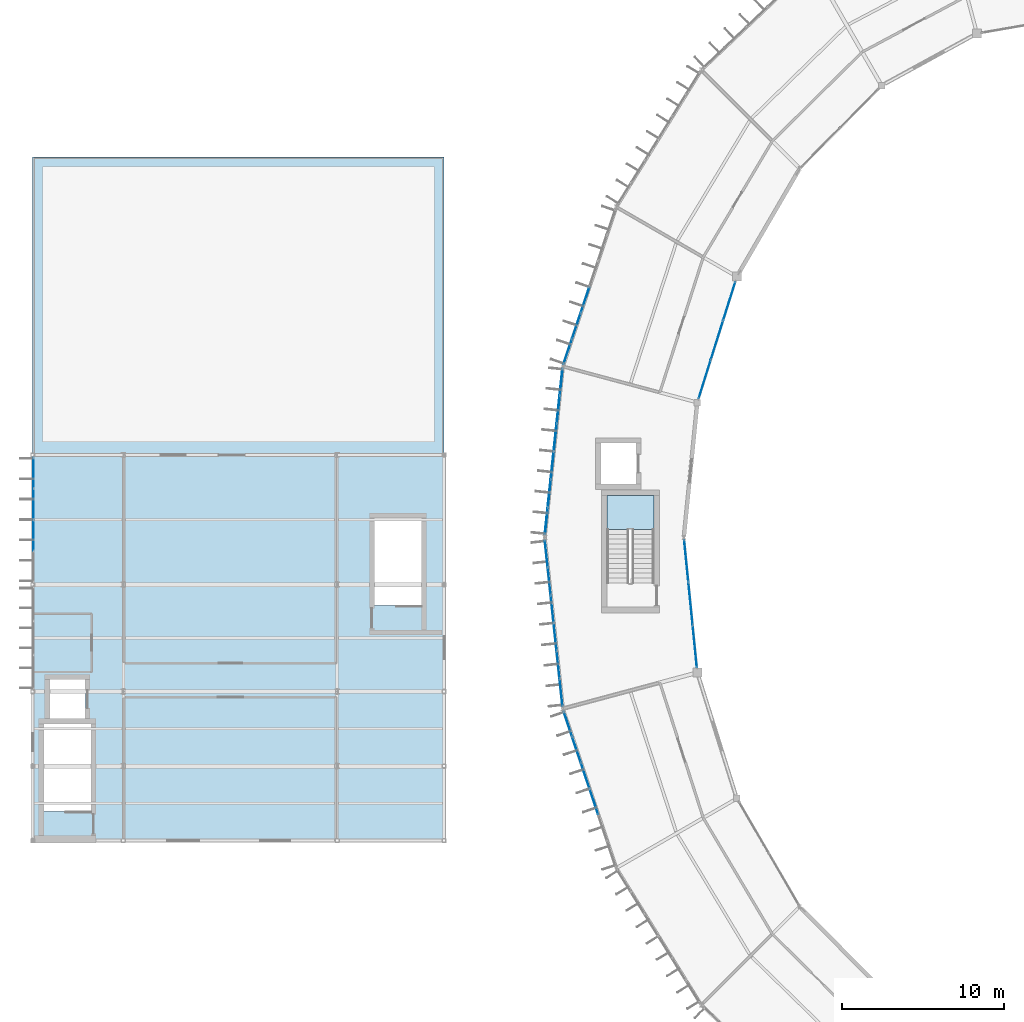
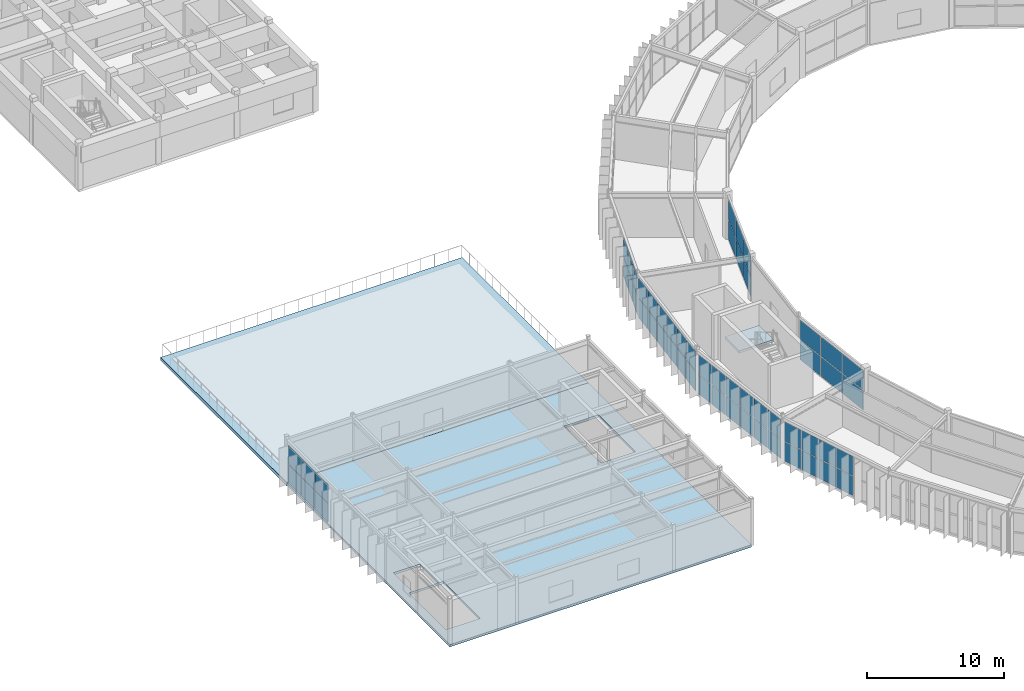
# One storey, part 90 of 130: 56 plates, 3 slabs, 8 elements without a shape of their own.
"""IFC4 building model written with IfcOpenShell, lengths in metres."""

from ifc_helpers import new_model, si_unit, direction, frame, origin, origin_2d, place, context, subcontext, project, spatial, polyline, rectangle, outline, extrude, material, layer, layer_set, type_object, element, aggregate, save


model = new_model("IFC4")

# Units and contexts
model_context = context("Model", 3, precision=1e-05, world=origin(), true_north=direction((0.0, 1.0)))
body_context = subcontext(model_context, "Body", "Model", "MODEL_VIEW")
ifc_project = project(units=[si_unit("LENGTHUNIT", "METRE"), si_unit("AREAUNIT", "SQUARE_METRE"), si_unit("VOLUMEUNIT", "CUBIC_METRE"), si_unit("PLANEANGLEUNIT", "RADIAN"), si_unit("MASSUNIT", "GRAM", prefix="KILO")], contexts=[model_context])

# Site, building, storey
site_placement = place(None, origin())
site = spatial("IfcSite", under=ifc_project, at=site_placement, CompositionType="ELEMENT")
building_placement = place(site_placement, origin())
building = spatial("IfcBuilding", under=site, at=building_placement, Name="Karori Crest Natural Sciences Institute", CompositionType="ELEMENT")
storey_placement = place(building_placement, frame((0.0, 0.0, 17.5)))
storey = spatial("IfcBuildingStorey", under=building, at=storey_placement, Name="L04", CompositionType="ELEMENT", Elevation=17.5)

# Curtain wall, plates
ifc_material_1 = material(Name="Anodised architectural aluminium 6063-T6", Category="aluminium")
curtain_wall_type_1 = type_object("IfcCurtainWallType", Name="CWT-11", PredefinedType="NOTDEFINED", material=ifc_material_1)
curtain_wall_1_placement = place(storey_placement, origin())
curtain_wall_1 = element("IfcCurtainWall", 1, at=curtain_wall_1_placement, inside=storey, type_object=curtain_wall_type_1, Name="Curtain wall CW-0152", PredefinedType="NOTDEFINED")
ifc_material_2 = material(Name="Double low-E laminated glass", Category="glass")
ifc_layer_1 = layer(ifc_material_2, 0.02392578125, Name="Double low-E laminated glass")
ifc_layer_set_1 = layer_set([ifc_layer_1], Name="Double low-E laminated glass")
plate_type_1 = type_object("IfcPlateType", Name="CWP-01", PredefinedType="CURTAIN_PANEL", material=ifc_layer_set_1)
plate_1_placement = place(storey_placement, frame((44.796875, 64.49560546875, 0.06005859375), z_axis=(0.0, 0.0, 1.0), x_axis=(-0.299475254154, -0.954104067778, 0.0)))
plate_1 = element("IfcPlate", 2, at=plate_1_placement, type_object=plate_type_1, Name="CW-0152 panel 1.1", PredefinedType="CURTAIN_PANEL", context=body_context, shape_type="SweptSolid", body=[
    extrude(rectangle(XDim=2.451171875, YDim=0.02392578125, at=origin_2d()), origin(), (0.0, 0.0, 1.0), 1.735107421875),
])
plate_2_placement = place(storey_placement, frame((44.796875, 64.49560546875, 1.85498046875), z_axis=(0.0, 0.0, 1.0), x_axis=(-0.299475254154, -0.954104067778, 0.0)))
plate_2 = element("IfcPlate", 3, at=plate_2_placement, type_object=plate_type_1, Name="CW-0152 panel 1.2", PredefinedType="CURTAIN_PANEL", context=body_context, shape_type="SweptSolid", body=[
    extrude(rectangle(XDim=2.451171875, YDim=0.02392578125, at=origin_2d()), origin(), (0.0, 0.0, 1.0), 1.735107421875),
])
plate_3_placement = place(storey_placement, frame((44.038330078125, 62.07958984375, 0.06005859375), z_axis=(0.0, 0.0, 1.0), x_axis=(-0.299475254154, -0.954104067778, 0.0)))
plate_3 = element("IfcPlate", 4, at=plate_3_placement, type_object=plate_type_1, Name="CW-0152 panel 2.1", PredefinedType="CURTAIN_PANEL", context=body_context, shape_type="SweptSolid", body=[
    extrude(rectangle(XDim=2.483642578125, YDim=0.02392578125, at=origin_2d()), origin(), (0.0, 0.0, 1.0), 1.735107421875),
])
plate_4_placement = place(storey_placement, frame((44.038330078125, 62.07958984375, 1.85498046875), z_axis=(0.0, 0.0, 1.0), x_axis=(-0.299475254154, -0.954104067778, 0.0)))
plate_4 = element("IfcPlate", 5, at=plate_4_placement, type_object=plate_type_1, Name="CW-0152 panel 2.2", PredefinedType="CURTAIN_PANEL", context=body_context, shape_type="SweptSolid", body=[
    extrude(rectangle(XDim=2.483642578125, YDim=0.02392578125, at=origin_2d()), origin(), (0.0, 0.0, 1.0), 1.735107421875),
])
plate_5_placement = place(storey_placement, frame((43.280029296875, 59.663330078125, 0.06005859375), z_axis=(0.0, 0.0, 1.0), x_axis=(-0.299475254154, -0.954104067778, 0.0)))
plate_5 = element("IfcPlate", 6, at=plate_5_placement, type_object=plate_type_1, Name="CW-0152 panel 3.1", PredefinedType="CURTAIN_PANEL", context=body_context, shape_type="SweptSolid", body=[
    extrude(rectangle(XDim=2.451171875, YDim=0.02392578125, at=origin_2d()), origin(), (0.0, 0.0, 1.0), 1.735107421875),
])
plate_6_placement = place(storey_placement, frame((43.280029296875, 59.663330078125, 1.85498046875), z_axis=(0.0, 0.0, 1.0), x_axis=(-0.299475254154, -0.954104067778, 0.0)))
plate_6 = element("IfcPlate", 7, at=plate_6_placement, type_object=plate_type_1, Name="CW-0152 panel 3.2", PredefinedType="CURTAIN_PANEL", context=body_context, shape_type="SweptSolid", body=[
    extrude(rectangle(XDim=2.451171875, YDim=0.02392578125, at=origin_2d()), origin(), (0.0, 0.0, 1.0), 1.735107421875),
])
aggregate(curtain_wall_1, [plate_1, plate_2, plate_3, plate_4, plate_5, plate_6])

curtain_wall_type_2 = type_object("IfcCurtainWallType", Name="CWT-03", PredefinedType="NOTDEFINED", material=ifc_material_1)
curtain_wall_2_placement = place(storey_placement, origin())
curtain_wall_2 = element("IfcCurtainWall", 8, at=curtain_wall_2_placement, inside=storey, type_object=curtain_wall_type_2, Name="Curtain wall CW-0154", PredefinedType="NOTDEFINED")
plate_7_placement = place(storey_placement, frame((34.41796875, 40.34033203125, 0.06494140625), z_axis=(0.0, 0.0, 1.0), x_axis=(-0.105884496939, 0.994378435661, 0.0)))
plate_7 = element("IfcPlate", 9, at=plate_7_placement, type_object=plate_type_1, Name="CW-0154 panel 1.1", PredefinedType="CURTAIN_PANEL", context=body_context, shape_type="SweptSolid", body=[
    extrude(rectangle(XDim=1.630126953125, YDim=0.02392578125, at=origin_2d()), origin(), (0.0, 0.0, 1.0), 1.715087890625),
])
plate_8_placement = place(storey_placement, frame((34.41796875, 40.34033203125, 1.8447265625), z_axis=(0.0, 0.0, 1.0), x_axis=(-0.105884496939, 0.994378435661, 0.0)))
plate_8 = element("IfcPlate", 10, at=plate_8_placement, type_object=plate_type_1, Name="CW-0154 panel 1.2", PredefinedType="CURTAIN_PANEL", context=body_context, shape_type="SweptSolid", body=[
    extrude(rectangle(XDim=1.630126953125, YDim=0.02392578125, at=origin_2d()), origin(), (0.0, 0.0, 1.0), 1.715087890625),
])
plate_9_placement = place(storey_placement, frame((34.23681640625, 42.0419921875, 0.06494140625), z_axis=(0.0, 0.0, 1.0), x_axis=(-0.105884496939, 0.994378435661, 0.0)))
plate_9 = element("IfcPlate", 11, at=plate_9_placement, type_object=plate_type_1, Name="CW-0154 panel 2.1", PredefinedType="CURTAIN_PANEL", context=body_context, shape_type="SweptSolid", body=[
    extrude(rectangle(XDim=1.66259765625, YDim=0.02392578125, at=origin_2d()), origin(), (0.0, 0.0, 1.0), 1.715087890625),
])
plate_10_placement = place(storey_placement, frame((34.23681640625, 42.0419921875, 1.8447265625), z_axis=(0.0, 0.0, 1.0), x_axis=(-0.105884496939, 0.994378435661, 0.0)))
plate_10 = element("IfcPlate", 12, at=plate_10_placement, type_object=plate_type_1, Name="CW-0154 panel 2.2", PredefinedType="CURTAIN_PANEL", context=body_context, shape_type="SweptSolid", body=[
    extrude(rectangle(XDim=1.66259765625, YDim=0.02392578125, at=origin_2d()), origin(), (0.0, 0.0, 1.0), 1.715087890625),
])
plate_11_placement = place(storey_placement, frame((34.0537109375, 43.759765625, 0.06494140625), z_axis=(0.0, 0.0, 1.0), x_axis=(-0.105884496939, 0.994378435661, 0.0)))
plate_11 = element("IfcPlate", 13, at=plate_11_placement, type_object=plate_type_1, Name="CW-0154 panel 3.1", PredefinedType="CURTAIN_PANEL", context=body_context, shape_type="SweptSolid", body=[
    extrude(rectangle(XDim=1.66259765625, YDim=0.02392578125, at=origin_2d()), origin(), (0.0, 0.0, 1.0), 1.715087890625),
])
plate_12_placement = place(storey_placement, frame((34.0537109375, 43.759765625, 1.8447265625), z_axis=(0.0, 0.0, 1.0), x_axis=(-0.105884496939, 0.994378435661, 0.0)))
plate_12 = element("IfcPlate", 14, at=plate_12_placement, type_object=plate_type_1, Name="CW-0154 panel 3.2", PredefinedType="CURTAIN_PANEL", context=body_context, shape_type="SweptSolid", body=[
    extrude(rectangle(XDim=1.66259765625, YDim=0.02392578125, at=origin_2d()), origin(), (0.0, 0.0, 1.0), 1.715087890625),
])
plate_13_placement = place(storey_placement, frame((33.870849609375, 45.4775390625, 0.06494140625), z_axis=(0.0, 0.0, 1.0), x_axis=(-0.105884496939, 0.994378435661, 0.0)))
plate_13 = element("IfcPlate", 15, at=plate_13_placement, type_object=plate_type_1, Name="CW-0154 panel 4.1", PredefinedType="CURTAIN_PANEL", context=body_context, shape_type="SweptSolid", body=[
    extrude(rectangle(XDim=1.66259765625, YDim=0.02392578125, at=origin_2d()), origin(), (0.0, 0.0, 1.0), 1.715087890625),
])
plate_14_placement = place(storey_placement, frame((33.870849609375, 45.4775390625, 1.8447265625), z_axis=(0.0, 0.0, 1.0), x_axis=(-0.105884496939, 0.994378435661, 0.0)))
plate_14 = element("IfcPlate", 16, at=plate_14_placement, type_object=plate_type_1, Name="CW-0154 panel 4.2", PredefinedType="CURTAIN_PANEL", context=body_context, shape_type="SweptSolid", body=[
    extrude(rectangle(XDim=1.66259765625, YDim=0.02392578125, at=origin_2d()), origin(), (0.0, 0.0, 1.0), 1.715087890625),
])
plate_15_placement = place(storey_placement, frame((33.68798828125, 47.1953125, 0.06494140625), z_axis=(0.0, 0.0, 1.0), x_axis=(-0.105884496939, 0.994378435661, 0.0)))
plate_15 = element("IfcPlate", 17, at=plate_15_placement, type_object=plate_type_1, Name="CW-0154 panel 5.1", PredefinedType="CURTAIN_PANEL", context=body_context, shape_type="SweptSolid", body=[
    extrude(rectangle(XDim=1.66259765625, YDim=0.02392578125, at=origin_2d()), origin(), (0.0, 0.0, 1.0), 1.715087890625),
])
plate_16_placement = place(storey_placement, frame((33.68798828125, 47.1953125, 1.8447265625), z_axis=(0.0, 0.0, 1.0), x_axis=(-0.105884496939, 0.994378435661, 0.0)))
plate_16 = element("IfcPlate", 18, at=plate_16_placement, type_object=plate_type_1, Name="CW-0154 panel 5.2", PredefinedType="CURTAIN_PANEL", context=body_context, shape_type="SweptSolid", body=[
    extrude(rectangle(XDim=1.66259765625, YDim=0.02392578125, at=origin_2d()), origin(), (0.0, 0.0, 1.0), 1.715087890625),
])
plate_17_placement = place(storey_placement, frame((33.5068359375, 48.89697265625, 0.06494140625), z_axis=(0.0, 0.0, 1.0), x_axis=(-0.105884496939, 0.994378435661, 0.0)))
plate_17 = element("IfcPlate", 19, at=plate_17_placement, type_object=plate_type_1, Name="CW-0154 panel 6.1", PredefinedType="CURTAIN_PANEL", context=body_context, shape_type="SweptSolid", body=[
    extrude(rectangle(XDim=1.630126953125, YDim=0.02392578125, at=origin_2d()), origin(), (0.0, 0.0, 1.0), 1.715087890625),
])
plate_18_placement = place(storey_placement, frame((33.5068359375, 48.89697265625, 1.8447265625), z_axis=(0.0, 0.0, 1.0), x_axis=(-0.105884496939, 0.994378435661, 0.0)))
plate_18 = element("IfcPlate", 20, at=plate_18_placement, type_object=plate_type_1, Name="CW-0154 panel 6.2", PredefinedType="CURTAIN_PANEL", context=body_context, shape_type="SweptSolid", body=[
    extrude(rectangle(XDim=1.630126953125, YDim=0.02392578125, at=origin_2d()), origin(), (0.0, 0.0, 1.0), 1.715087890625),
])
aggregate(curtain_wall_2, [plate_7, plate_8, plate_9, plate_10, plate_11, plate_12, plate_13, plate_14, plate_15, plate_16, plate_17, plate_18])

curtain_wall_type_3 = type_object("IfcCurtainWallType", Name="CWT-13", PredefinedType="NOTDEFINED", material=ifc_material_1)
curtain_wall_3_placement = place(storey_placement, origin())
curtain_wall_3 = element("IfcCurtainWall", 21, at=curtain_wall_3_placement, inside=storey, type_object=curtain_wall_type_3, Name="Curtain wall CW-0155", PredefinedType="NOTDEFINED")
plate_19_placement = place(storey_placement, frame((42.144287109375, 48.45458984375, 0.06005859375), z_axis=(0.0, 0.0, 1.0), x_axis=(0.099268494275, -0.995060684604, 0.0)))
plate_19 = element("IfcPlate", 22, at=plate_19_placement, type_object=plate_type_1, Name="CW-0155 panel 1.1", PredefinedType="CURTAIN_PANEL", context=body_context, shape_type="SweptSolid", body=[
    extrude(rectangle(XDim=2.568359375, YDim=0.02392578125, at=origin_2d()), origin(), (0.0, 0.0, 1.0), 1.735107421875),
])
plate_20_placement = place(storey_placement, frame((42.144287109375, 48.45458984375, 1.85498046875), z_axis=(0.0, 0.0, 1.0), x_axis=(0.099268494275, -0.995060684604, 0.0)))
plate_20 = element("IfcPlate", 23, at=plate_20_placement, type_object=plate_type_1, Name="CW-0155 panel 1.2", PredefinedType="CURTAIN_PANEL", context=body_context, shape_type="SweptSolid", body=[
    extrude(rectangle(XDim=2.568359375, YDim=0.02392578125, at=origin_2d()), origin(), (0.0, 0.0, 1.0), 1.735107421875),
])
plate_21_placement = place(storey_placement, frame((42.4072265625, 45.818115234375, 0.06005859375), z_axis=(0.0, 0.0, 1.0), x_axis=(0.099268494275, -0.995060684604, 0.0)))
plate_21 = element("IfcPlate", 24, at=plate_21_placement, type_object=plate_type_1, Name="CW-0155 panel 2.1", PredefinedType="CURTAIN_PANEL", context=body_context, shape_type="SweptSolid", body=[
    extrude(rectangle(XDim=2.600830078125, YDim=0.02392578125, at=origin_2d()), origin(), (0.0, 0.0, 1.0), 1.735107421875),
])
plate_22_placement = place(storey_placement, frame((42.4072265625, 45.818115234375, 1.85498046875), z_axis=(0.0, 0.0, 1.0), x_axis=(0.099268494275, -0.995060684604, 0.0)))
plate_22 = element("IfcPlate", 25, at=plate_22_placement, type_object=plate_type_1, Name="CW-0155 panel 2.2", PredefinedType="CURTAIN_PANEL", context=body_context, shape_type="SweptSolid", body=[
    extrude(rectangle(XDim=2.600830078125, YDim=0.02392578125, at=origin_2d()), origin(), (0.0, 0.0, 1.0), 1.735107421875),
])
plate_23_placement = place(storey_placement, frame((42.670166015625, 43.181396484375, 0.06005859375), z_axis=(0.0, 0.0, 1.0), x_axis=(0.099268494275, -0.995060684604, 0.0)))
plate_23 = element("IfcPlate", 26, at=plate_23_placement, type_object=plate_type_1, Name="CW-0155 panel 3.1", PredefinedType="CURTAIN_PANEL", context=body_context, shape_type="SweptSolid", body=[
    extrude(rectangle(XDim=2.568359375, YDim=0.02392578125, at=origin_2d()), origin(), (0.0, 0.0, 1.0), 1.735107421875),
])
plate_24_placement = place(storey_placement, frame((42.670166015625, 43.181396484375, 1.85498046875), z_axis=(0.0, 0.0, 1.0), x_axis=(0.099268494275, -0.995060684604, 0.0)))
plate_24 = element("IfcPlate", 27, at=plate_24_placement, type_object=plate_type_1, Name="CW-0155 panel 3.2", PredefinedType="CURTAIN_PANEL", context=body_context, shape_type="SweptSolid", body=[
    extrude(rectangle(XDim=2.568359375, YDim=0.02392578125, at=origin_2d()), origin(), (0.0, 0.0, 1.0), 1.735107421875),
])
aggregate(curtain_wall_3, [plate_19, plate_20, plate_21, plate_22, plate_23, plate_24])

curtain_wall_type_4 = type_object("IfcCurtainWallType", Name="CWT-17", PredefinedType="NOTDEFINED", material=ifc_material_1)
curtain_wall_4_placement = place(storey_placement, origin())
curtain_wall_4 = element("IfcCurtainWall", 28, at=curtain_wall_4_placement, inside=storey, type_object=curtain_wall_type_4, Name="Curtain wall CW-0287", PredefinedType="NOTDEFINED")
plate_25_placement = place(storey_placement, frame((1.860107421875, 50.03076171875, 0.06005859375), z_axis=(0.0, 0.0, 1.0), x_axis=(0.0, 1.0, 0.0)))
plate_25 = element("IfcPlate", 29, at=plate_25_placement, type_object=plate_type_1, Name="CW-0287 panel 2.1", PredefinedType="CURTAIN_PANEL", context=body_context, shape_type="SweptSolid", body=[
    extrude(rectangle(XDim=1.87353515625, YDim=0.02392578125, at=origin_2d()), origin(), (0.0, 0.0, 1.0), 1.632568359375),
])
plate_26_placement = place(storey_placement, frame((1.860107421875, 50.03076171875, 1.75244140625), z_axis=(0.0, 0.0, 1.0), x_axis=(0.0, 1.0, 0.0)))
plate_26 = element("IfcPlate", 30, at=plate_26_placement, type_object=plate_type_1, Name="CW-0287 panel 2.2", PredefinedType="CURTAIN_PANEL", context=body_context, shape_type="SweptSolid", body=[
    extrude(rectangle(XDim=1.87353515625, YDim=0.02392578125, at=origin_2d()), origin(), (0.0, 0.0, 1.0), 1.632568359375),
])
plate_27_placement = place(storey_placement, frame((1.860107421875, 51.96923828125, 0.06005859375), z_axis=(0.0, 0.0, 1.0), x_axis=(0.0, 1.0, 0.0)))
plate_27 = element("IfcPlate", 31, at=plate_27_placement, type_object=plate_type_1, Name="CW-0287 panel 3.1", PredefinedType="CURTAIN_PANEL", context=body_context, shape_type="SweptSolid", body=[
    extrude(rectangle(XDim=1.87353515625, YDim=0.02392578125, at=origin_2d()), origin(), (0.0, 0.0, 1.0), 1.632568359375),
])
plate_28_placement = place(storey_placement, frame((1.860107421875, 51.96923828125, 1.75244140625), z_axis=(0.0, 0.0, 1.0), x_axis=(0.0, 1.0, 0.0)))
plate_28 = element("IfcPlate", 32, at=plate_28_placement, type_object=plate_type_1, Name="CW-0287 panel 3.2", PredefinedType="CURTAIN_PANEL", context=body_context, shape_type="SweptSolid", body=[
    extrude(rectangle(XDim=1.87353515625, YDim=0.02392578125, at=origin_2d()), origin(), (0.0, 0.0, 1.0), 1.632568359375),
])
plate_29_placement = place(storey_placement, frame((1.860107421875, 53.8916015625, 0.06005859375), z_axis=(0.0, 0.0, 1.0), x_axis=(0.0, 1.0, 0.0)))
plate_29 = element("IfcPlate", 33, at=plate_29_placement, type_object=plate_type_1, Name="CW-0287 panel 4.1", PredefinedType="CURTAIN_PANEL", context=body_context, shape_type="SweptSolid", body=[
    extrude(rectangle(XDim=1.841064453125, YDim=0.02392578125, at=origin_2d()), origin(), (0.0, 0.0, 1.0), 1.632568359375),
])
plate_30_placement = place(storey_placement, frame((1.860107421875, 53.8916015625, 1.75244140625), z_axis=(0.0, 0.0, 1.0), x_axis=(0.0, 1.0, 0.0)))
plate_30 = element("IfcPlate", 34, at=plate_30_placement, type_object=plate_type_1, Name="CW-0287 panel 4.2", PredefinedType="CURTAIN_PANEL", context=body_context, shape_type="SweptSolid", body=[
    extrude(rectangle(XDim=1.841064453125, YDim=0.02392578125, at=origin_2d()), origin(), (0.0, 0.0, 1.0), 1.632568359375),
])
aggregate(curtain_wall_4, [plate_25, plate_26, plate_27, plate_28, plate_29, plate_30])

curtain_wall_type_5 = type_object("IfcCurtainWallType", Name="CWT-01", PredefinedType="NOTDEFINED", material=ifc_material_1)
curtain_wall_5_placement = place(storey_placement, origin())
curtain_wall_5 = element("IfcCurtainWall", 35, at=curtain_wall_5_placement, inside=storey, type_object=curtain_wall_type_5, Name="Curtain wall CW-0151", PredefinedType="NOTDEFINED")
ifc_layer_2 = layer(ifc_material_2, 0.033935546875, Name="Double low-E laminated glass")
ifc_layer_set_2 = layer_set([ifc_layer_2], Name="Double low-E laminated glass")
plate_type_2 = type_object("IfcPlateType", Name="CWP-02", PredefinedType="CURTAIN_PANEL", material=ifc_layer_set_2)
plate_31_placement = place(storey_placement, frame((34.8251953125, 61.357421875, 0.06494140625), z_axis=(0.0, 0.0, 1.0), x_axis=(0.317679803392, 0.94819805026, 0.0)))
plate_31 = element("IfcPlate", 36, at=plate_31_placement, type_object=plate_type_2, Name="CW-0151 panel 1.1", PredefinedType="CURTAIN_PANEL", context=body_context, shape_type="SweptSolid", body=[
    extrude(rectangle(XDim=1.59619140625, YDim=0.033935546875, at=origin_2d()), origin(), (0.0, 0.0, 1.0), 1.715087890625),
])
plate_32_placement = place(storey_placement, frame((34.8251953125, 61.357421875, 1.8447265625), z_axis=(0.0, 0.0, 1.0), x_axis=(0.317679803392, 0.94819805026, 0.0)))
plate_32 = element("IfcPlate", 37, at=plate_32_placement, type_object=plate_type_2, Name="CW-0151 panel 1.2", PredefinedType="CURTAIN_PANEL", context=body_context, shape_type="SweptSolid", body=[
    extrude(rectangle(XDim=1.59619140625, YDim=0.033935546875, at=origin_2d()), origin(), (0.0, 0.0, 1.0), 1.715087890625),
])
plate_33_placement = place(storey_placement, frame((35.35791015625, 62.947998046875, 0.06494140625), z_axis=(0.0, 0.0, 1.0), x_axis=(0.317679803392, 0.94819805026, 0.0)))
plate_33 = element("IfcPlate", 38, at=plate_33_placement, type_object=plate_type_2, Name="CW-0151 panel 2.1", PredefinedType="CURTAIN_PANEL", context=body_context, shape_type="SweptSolid", body=[
    extrude(rectangle(XDim=1.628662109375, YDim=0.033935546875, at=origin_2d()), origin(), (0.0, 0.0, 1.0), 1.715087890625),
])
plate_34_placement = place(storey_placement, frame((35.35791015625, 62.947998046875, 1.8447265625), z_axis=(0.0, 0.0, 1.0), x_axis=(0.317679803392, 0.94819805026, 0.0)))
plate_34 = element("IfcPlate", 39, at=plate_34_placement, type_object=plate_type_2, Name="CW-0151 panel 2.2", PredefinedType="CURTAIN_PANEL", context=body_context, shape_type="SweptSolid", body=[
    extrude(rectangle(XDim=1.628662109375, YDim=0.033935546875, at=origin_2d()), origin(), (0.0, 0.0, 1.0), 1.715087890625),
])
plate_35_placement = place(storey_placement, frame((35.89599609375, 64.553955078125, 0.06494140625), z_axis=(0.0, 0.0, 1.0), x_axis=(0.317679803392, 0.94819805026, 0.0)))
plate_35 = element("IfcPlate", 40, at=plate_35_placement, type_object=plate_type_2, Name="CW-0151 panel 3.1", PredefinedType="CURTAIN_PANEL", context=body_context, shape_type="SweptSolid", body=[
    extrude(rectangle(XDim=1.628662109375, YDim=0.033935546875, at=origin_2d()), origin(), (0.0, 0.0, 1.0), 1.715087890625),
])
plate_36_placement = place(storey_placement, frame((35.89599609375, 64.553955078125, 1.8447265625), z_axis=(0.0, 0.0, 1.0), x_axis=(0.317679803392, 0.94819805026, 0.0)))
plate_36 = element("IfcPlate", 41, at=plate_36_placement, type_object=plate_type_2, Name="CW-0151 panel 3.2", PredefinedType="CURTAIN_PANEL", context=body_context, shape_type="SweptSolid", body=[
    extrude(rectangle(XDim=1.628662109375, YDim=0.033935546875, at=origin_2d()), origin(), (0.0, 0.0, 1.0), 1.715087890625),
])
aggregate(curtain_wall_5, [plate_31, plate_32, plate_33, plate_34, plate_35, plate_36])

curtain_wall_type_6 = type_object("IfcCurtainWallType", Name="CWT-04", PredefinedType="NOTDEFINED", material=ifc_material_1)
curtain_wall_6_placement = place(storey_placement, origin())
curtain_wall_6 = element("IfcCurtainWall", 42, at=curtain_wall_6_placement, inside=storey, type_object=curtain_wall_type_6, Name="Curtain wall CW-0156", PredefinedType="NOTDEFINED")
plate_37_placement = place(storey_placement, frame((36.449462890625, 33.593994140625, 0.06005859375), z_axis=(0.0, 0.0, 1.0), x_axis=(-0.317679803392, 0.94819805026, 0.0)))
plate_37 = element("IfcPlate", 43, at=plate_37_placement, type_object=plate_type_2, Name="CW-0156 panel 3.1", PredefinedType="CURTAIN_PANEL", context=body_context, shape_type="SweptSolid", body=[
    extrude(rectangle(XDim=1.628662109375, YDim=0.033935546875, at=origin_2d()), origin(), (0.0, 0.0, 1.0), 1.722412109375),
])
plate_38_placement = place(storey_placement, frame((36.449462890625, 33.593994140625, 1.8427734375), z_axis=(0.0, 0.0, 1.0), x_axis=(-0.317679803392, 0.94819805026, 0.0)))
plate_38 = element("IfcPlate", 44, at=plate_38_placement, type_object=plate_type_2, Name="CW-0156 panel 3.2", PredefinedType="CURTAIN_PANEL", context=body_context, shape_type="SweptSolid", body=[
    extrude(rectangle(XDim=1.628662109375, YDim=0.033935546875, at=origin_2d()), origin(), (0.0, 0.0, 1.0), 1.722412109375),
])
plate_39_placement = place(storey_placement, frame((35.911376953125, 35.2001953125, 0.06005859375), z_axis=(0.0, 0.0, 1.0), x_axis=(-0.317679803392, 0.94819805026, 0.0)))
plate_39 = element("IfcPlate", 45, at=plate_39_placement, type_object=plate_type_2, Name="CW-0156 panel 4.1", PredefinedType="CURTAIN_PANEL", context=body_context, shape_type="SweptSolid", body=[
    extrude(rectangle(XDim=1.628662109375, YDim=0.033935546875, at=origin_2d()), origin(), (0.0, 0.0, 1.0), 1.722412109375),
])
plate_40_placement = place(storey_placement, frame((35.911376953125, 35.2001953125, 1.8427734375), z_axis=(0.0, 0.0, 1.0), x_axis=(-0.317679803392, 0.94819805026, 0.0)))
plate_40 = element("IfcPlate", 46, at=plate_40_placement, type_object=plate_type_2, Name="CW-0156 panel 4.2", PredefinedType="CURTAIN_PANEL", context=body_context, shape_type="SweptSolid", body=[
    extrude(rectangle(XDim=1.628662109375, YDim=0.033935546875, at=origin_2d()), origin(), (0.0, 0.0, 1.0), 1.722412109375),
])
plate_41_placement = place(storey_placement, frame((35.373291015625, 36.80615234375, 0.06005859375), z_axis=(0.0, 0.0, 1.0), x_axis=(-0.317679803392, 0.94819805026, 0.0)))
plate_41 = element("IfcPlate", 47, at=plate_41_placement, type_object=plate_type_2, Name="CW-0156 panel 5.1", PredefinedType="CURTAIN_PANEL", context=body_context, shape_type="SweptSolid", body=[
    extrude(rectangle(XDim=1.628662109375, YDim=0.033935546875, at=origin_2d()), origin(), (0.0, 0.0, 1.0), 1.722412109375),
])
plate_42_placement = place(storey_placement, frame((35.373291015625, 36.80615234375, 1.8427734375), z_axis=(0.0, 0.0, 1.0), x_axis=(-0.317679803392, 0.94819805026, 0.0)))
plate_42 = element("IfcPlate", 48, at=plate_42_placement, type_object=plate_type_2, Name="CW-0156 panel 5.2", PredefinedType="CURTAIN_PANEL", context=body_context, shape_type="SweptSolid", body=[
    extrude(rectangle(XDim=1.628662109375, YDim=0.033935546875, at=origin_2d()), origin(), (0.0, 0.0, 1.0), 1.722412109375),
])
plate_43_placement = place(storey_placement, frame((34.840576171875, 38.396728515625, 0.06005859375), z_axis=(0.0, 0.0, 1.0), x_axis=(-0.317679803392, 0.94819805026, 0.0)))
plate_43 = element("IfcPlate", 49, at=plate_43_placement, type_object=plate_type_2, Name="CW-0156 panel 6.1", PredefinedType="CURTAIN_PANEL", context=body_context, shape_type="SweptSolid", body=[
    extrude(rectangle(XDim=1.59619140625, YDim=0.033935546875, at=origin_2d()), origin(), (0.0, 0.0, 1.0), 1.722412109375),
])
plate_44_placement = place(storey_placement, frame((34.840576171875, 38.396728515625, 1.8427734375), z_axis=(0.0, 0.0, 1.0), x_axis=(-0.317679803392, 0.94819805026, 0.0)))
plate_44 = element("IfcPlate", 50, at=plate_44_placement, type_object=plate_type_2, Name="CW-0156 panel 6.2", PredefinedType="CURTAIN_PANEL", context=body_context, shape_type="SweptSolid", body=[
    extrude(rectangle(XDim=1.59619140625, YDim=0.033935546875, at=origin_2d()), origin(), (0.0, 0.0, 1.0), 1.722412109375),
])
aggregate(curtain_wall_6, [plate_37, plate_38, plate_39, plate_40, plate_41, plate_42, plate_43, plate_44])

curtain_wall_type_7 = type_object("IfcCurtainWallType", Name="CWT-02", PredefinedType="NOTDEFINED", material=ifc_material_1)
curtain_wall_7_placement = place(storey_placement, origin())
curtain_wall_7 = element("IfcCurtainWall", 51, at=curtain_wall_7_placement, inside=storey, type_object=curtain_wall_type_7, Name="Curtain wall CW-0153", PredefinedType="NOTDEFINED")
ifc_layer_3 = layer(ifc_material_2, 0.0439453125, Name="Double low-E laminated glass")
ifc_layer_set_3 = layer_set([ifc_layer_3], Name="Double low-E laminated glass")
plate_type_3 = type_object("IfcPlateType", Name="CWP-03", PredefinedType="CURTAIN_PANEL", material=ifc_layer_set_3)
plate_45_placement = place(storey_placement, frame((33.507080078125, 50.906982421875, 0.06005859375), z_axis=(0.0, 0.0, 1.0), x_axis=(0.105885677057, 0.994378309998, 0.0)))
plate_45 = element("IfcPlate", 52, at=plate_45_placement, type_object=plate_type_3, Name="CW-0153 panel 1.1", PredefinedType="CURTAIN_PANEL", context=body_context, shape_type="SweptSolid", body=[
    extrude(rectangle(XDim=1.6376953125, YDim=0.0439453125, at=origin_2d()), origin(), (0.0, 0.0, 1.0), 1.722412109375),
])
plate_46_placement = place(storey_placement, frame((33.507080078125, 50.906982421875, 1.8427734375), z_axis=(0.0, 0.0, 1.0), x_axis=(0.105885677057, 0.994378309998, 0.0)))
plate_46 = element("IfcPlate", 53, at=plate_46_placement, type_object=plate_type_3, Name="CW-0153 panel 1.2", PredefinedType="CURTAIN_PANEL", context=body_context, shape_type="SweptSolid", body=[
    extrude(rectangle(XDim=1.6376953125, YDim=0.0439453125, at=origin_2d()), origin(), (0.0, 0.0, 1.0), 1.722412109375),
])
plate_47_placement = place(storey_placement, frame((33.689208984375, 52.6162109375, 0.06005859375), z_axis=(0.0, 0.0, 1.0), x_axis=(0.105885677057, 0.994378309998, 0.0)))
plate_47 = element("IfcPlate", 54, at=plate_47_placement, type_object=plate_type_3, Name="CW-0153 panel 2.1", PredefinedType="CURTAIN_PANEL", context=body_context, shape_type="SweptSolid", body=[
    extrude(rectangle(XDim=1.670166015625, YDim=0.0439453125, at=origin_2d()), origin(), (0.0, 0.0, 1.0), 1.722412109375),
])
plate_48_placement = place(storey_placement, frame((33.689208984375, 52.6162109375, 1.8427734375), z_axis=(0.0, 0.0, 1.0), x_axis=(0.105885677057, 0.994378309998, 0.0)))
plate_48 = element("IfcPlate", 55, at=plate_48_placement, type_object=plate_type_3, Name="CW-0153 panel 2.2", PredefinedType="CURTAIN_PANEL", context=body_context, shape_type="SweptSolid", body=[
    extrude(rectangle(XDim=1.670166015625, YDim=0.0439453125, at=origin_2d()), origin(), (0.0, 0.0, 1.0), 1.722412109375),
])
plate_49_placement = place(storey_placement, frame((33.873046875, 54.341552734375, 0.06005859375), z_axis=(0.0, 0.0, 1.0), x_axis=(0.105885677057, 0.994378309998, 0.0)))
plate_49 = element("IfcPlate", 56, at=plate_49_placement, type_object=plate_type_3, Name="CW-0153 panel 3.1", PredefinedType="CURTAIN_PANEL", context=body_context, shape_type="SweptSolid", body=[
    extrude(rectangle(XDim=1.670166015625, YDim=0.0439453125, at=origin_2d()), origin(), (0.0, 0.0, 1.0), 1.722412109375),
])
plate_50_placement = place(storey_placement, frame((33.873046875, 54.341552734375, 1.8427734375), z_axis=(0.0, 0.0, 1.0), x_axis=(0.105885677057, 0.994378309998, 0.0)))
plate_50 = element("IfcPlate", 57, at=plate_50_placement, type_object=plate_type_3, Name="CW-0153 panel 3.2", PredefinedType="CURTAIN_PANEL", context=body_context, shape_type="SweptSolid", body=[
    extrude(rectangle(XDim=1.670166015625, YDim=0.0439453125, at=origin_2d()), origin(), (0.0, 0.0, 1.0), 1.722412109375),
])
plate_51_placement = place(storey_placement, frame((34.056640625, 56.067138671875, 0.06005859375), z_axis=(0.0, 0.0, 1.0), x_axis=(0.105885677057, 0.994378309998, 0.0)))
plate_51 = element("IfcPlate", 58, at=plate_51_placement, type_object=plate_type_3, Name="CW-0153 panel 4.1", PredefinedType="CURTAIN_PANEL", context=body_context, shape_type="SweptSolid", body=[
    extrude(rectangle(XDim=1.670166015625, YDim=0.0439453125, at=origin_2d()), origin(), (0.0, 0.0, 1.0), 1.722412109375),
])
plate_52_placement = place(storey_placement, frame((34.056640625, 56.067138671875, 1.8427734375), z_axis=(0.0, 0.0, 1.0), x_axis=(0.105885677057, 0.994378309998, 0.0)))
plate_52 = element("IfcPlate", 59, at=plate_52_placement, type_object=plate_type_3, Name="CW-0153 panel 4.2", PredefinedType="CURTAIN_PANEL", context=body_context, shape_type="SweptSolid", body=[
    extrude(rectangle(XDim=1.670166015625, YDim=0.0439453125, at=origin_2d()), origin(), (0.0, 0.0, 1.0), 1.722412109375),
])
plate_53_placement = place(storey_placement, frame((34.240478515625, 57.79248046875, 0.06005859375), z_axis=(0.0, 0.0, 1.0), x_axis=(0.105885677057, 0.994378309998, 0.0)))
plate_53 = element("IfcPlate", 60, at=plate_53_placement, type_object=plate_type_3, Name="CW-0153 panel 5.1", PredefinedType="CURTAIN_PANEL", context=body_context, shape_type="SweptSolid", body=[
    extrude(rectangle(XDim=1.670166015625, YDim=0.0439453125, at=origin_2d()), origin(), (0.0, 0.0, 1.0), 1.722412109375),
])
plate_54_placement = place(storey_placement, frame((34.240478515625, 57.79248046875, 1.8427734375), z_axis=(0.0, 0.0, 1.0), x_axis=(0.105885677057, 0.994378309998, 0.0)))
plate_54 = element("IfcPlate", 61, at=plate_54_placement, type_object=plate_type_3, Name="CW-0153 panel 5.2", PredefinedType="CURTAIN_PANEL", context=body_context, shape_type="SweptSolid", body=[
    extrude(rectangle(XDim=1.670166015625, YDim=0.0439453125, at=origin_2d()), origin(), (0.0, 0.0, 1.0), 1.722412109375),
])
plate_55_placement = place(storey_placement, frame((34.42236328125, 59.501708984375, 0.06005859375), z_axis=(0.0, 0.0, 1.0), x_axis=(0.105885677057, 0.994378309998, 0.0)))
plate_55 = element("IfcPlate", 62, at=plate_55_placement, type_object=plate_type_3, Name="CW-0153 panel 6.1", PredefinedType="CURTAIN_PANEL", context=body_context, shape_type="SweptSolid", body=[
    extrude(rectangle(XDim=1.6376953125, YDim=0.0439453125, at=origin_2d()), origin(), (0.0, 0.0, 1.0), 1.722412109375),
])
plate_56_placement = place(storey_placement, frame((34.42236328125, 59.501708984375, 1.8427734375), z_axis=(0.0, 0.0, 1.0), x_axis=(0.105885677057, 0.994378309998, 0.0)))
plate_56 = element("IfcPlate", 63, at=plate_56_placement, type_object=plate_type_3, Name="CW-0153 panel 6.2", PredefinedType="CURTAIN_PANEL", context=body_context, shape_type="SweptSolid", body=[
    extrude(rectangle(XDim=1.6376953125, YDim=0.0439453125, at=origin_2d()), origin(), (0.0, 0.0, 1.0), 1.722412109375),
])
aggregate(curtain_wall_7, [plate_45, plate_46, plate_47, plate_48, plate_49, plate_50, plate_51, plate_52, plate_53, plate_54, plate_55, plate_56])

# Slab
ifc_material_3 = material(Name="Concrete 40 MPa", Category="concrete")
ifc_layer_4 = layer(ifc_material_3, 0.199951171875, Name="Concrete 40 MPa")
ifc_layer_set_4 = layer_set([ifc_layer_4], Name="Concrete 40 MPa")
slab_type_1 = type_object("IfcSlabType", Name="SLT-08", PredefinedType="FLOOR", material=ifc_layer_set_4)
slab_1_placement = place(storey_placement, frame((0.0, 0.0, -0.199951171875)))
element("IfcSlab", 64, at=slab_1_placement, inside=storey, type_object=slab_type_1, Name="V3 Slab SL-0121", PredefinedType="FLOOR", context=body_context, shape_type="SweptSolid", body=[
    extrude(outline(polyline([(1.800048828125, 31.199951171875), (27.199951171875, 31.199951171875), (27.199951171875, 55.0), (1.800048828125, 55.0), (1.800048828125, 31.199951171875)]), holes=[polyline([(5.39990234375, 33.00048828125), (2.5, 33.00048828125), (2.5, 38.39990234375), (5.39990234375, 38.39990234375), (5.39990234375, 33.00048828125)]), polyline([(25.800048828125, 45.700439453125), (22.89990234375, 45.700439453125), (22.89990234375, 51.10009765625), (25.800048828125, 51.10009765625), (25.800048828125, 45.700439453125)]), polyline([(2.824951171875, 41.175048828125), (5.074951171875, 41.175048828125), (5.074951171875, 38.425048828125), (2.824951171875, 38.425048828125), (2.824951171875, 41.175048828125)])]), origin(), (0.0, 0.0, 1.0), 0.199951171875),
])

# Stair, slab
stair_type = type_object("IfcStairType", Name="STT-01", PredefinedType="HALF_TURN_STAIR", material=ifc_material_3)
stair_placement = place(storey_placement, origin())
stair = element("IfcStair", 65, at=stair_placement, inside=storey, type_object=stair_type, Name="Protected stair ST-02-L04", PredefinedType="HALF_TURN_STAIR")
ifc_layer_5 = layer(ifc_material_3, 0.2099609375, Name="Concrete 40 MPa")
ifc_layer_set_5 = layer_set([ifc_layer_5], Name="Concrete 40 MPa")
slab_type_2 = type_object("IfcSlabType", Name="SLT-11", PredefinedType="LANDING", material=ifc_layer_set_5)
slab_2_placement = place(storey_placement, frame((0.0, 0.0, 1.889892578125)))
slab_2 = element("IfcSlab", 66, at=slab_2_placement, type_object=slab_type_2, Name="ST-02-L04 landing 1", PredefinedType="LANDING", context=body_context, shape_type="SweptSolid", body=[
    extrude(outline(polyline([(40.14990234375, 50.39990234375), (40.14990234375, 52.5), (37.25, 52.5), (37.25, 50.39990234375), (40.14990234375, 50.39990234375)])), origin(), (0.0, 0.0, 1.0), 0.210205078125),
])
aggregate(stair, [slab_2])

# Slab
ifc_layer_6 = layer(ifc_material_3, 0.280029296875, Name="Concrete 40 MPa")
ifc_layer_set_6 = layer_set([ifc_layer_6], Name="Concrete 40 MPa")
slab_type_3 = type_object("IfcSlabType", Name="SLT-12", PredefinedType="ROOF", material=ifc_layer_set_6)
slab_3_placement = place(storey_placement, frame((0.0, 0.0, -0.280029296875)))
element("IfcSlab", 67, at=slab_3_placement, inside=storey, type_object=slab_type_3, Name="V3-RG Slab SL-0122", PredefinedType="ROOF", context=body_context, shape_type="SweptSolid", body=[
    extrude(outline(polyline([(1.800048828125, 55.0), (27.199951171875, 55.0), (27.199951171875, 73.39990234375), (1.800048828125, 73.39990234375), (1.800048828125, 55.0)])), origin(), (0.0, 0.0, 1.0), 0.280029296875),
])

save(model, "model.ifc")
